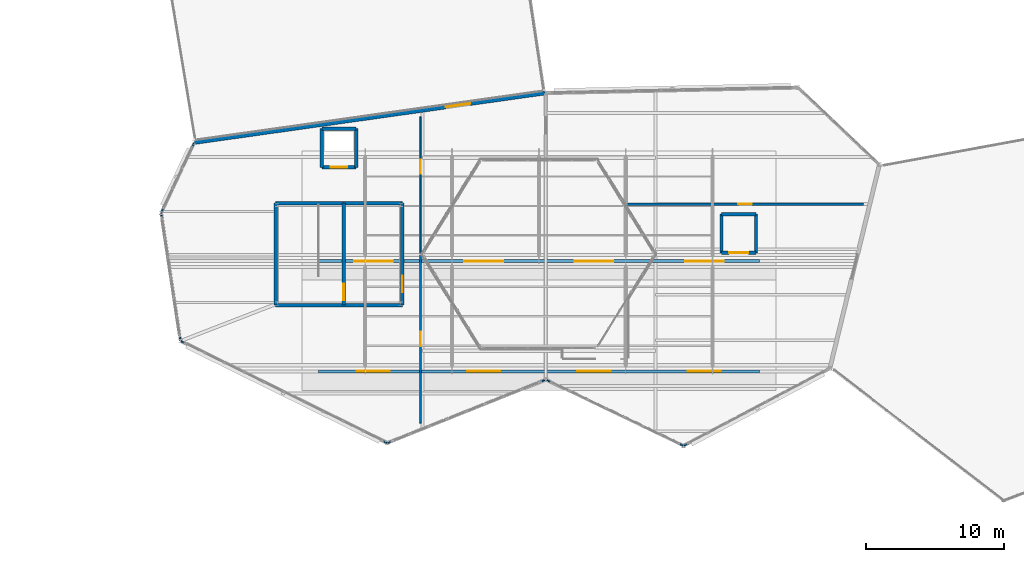
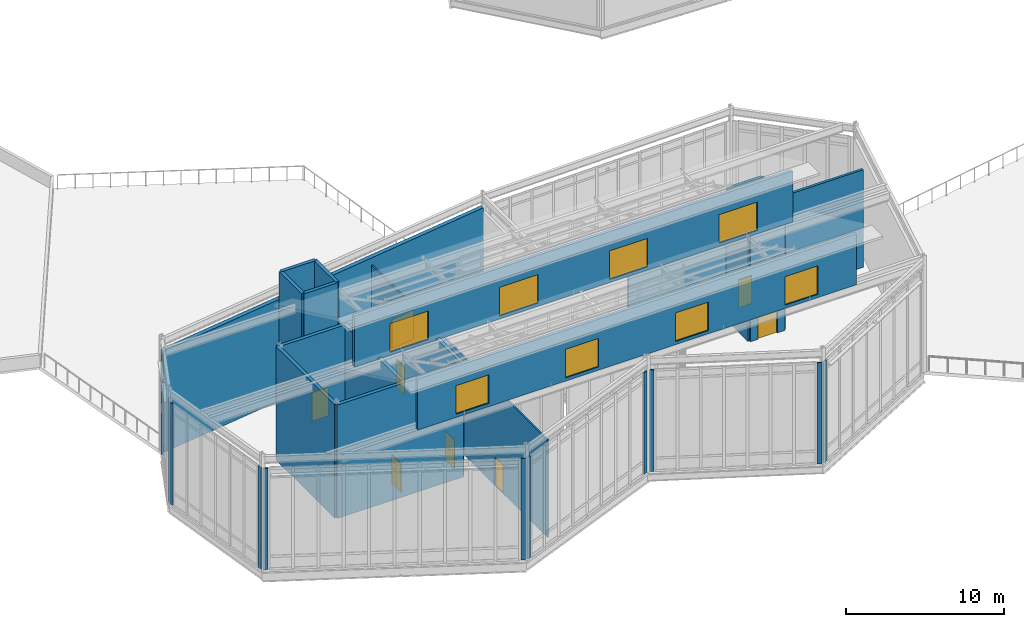
# One storey, part 54 of 66: 30 walls, 8 doors, 8 windows, 16 openings.
"""IFC4 building model written with IfcOpenShell, lengths in metres."""

from ifc_helpers import new_model, si_unit, direction, frame, frame_2d, origin, place, context, subcontext, project, spatial, rectangle, extrude, material, layer, layer_set, type_object, element, fill, save


model = new_model("IFC4")

# Units and contexts
model_context = context("Model", 3, precision=1e-05, world=origin(), true_north=direction((0.0, 1.0)))
body_context = subcontext(model_context, "Body", "Model", "MODEL_VIEW")
ifc_project = project(units=[si_unit("LENGTHUNIT", "METRE"), si_unit("AREAUNIT", "SQUARE_METRE"), si_unit("VOLUMEUNIT", "CUBIC_METRE"), si_unit("PLANEANGLEUNIT", "RADIAN"), si_unit("MASSUNIT", "GRAM", prefix="KILO")], contexts=[model_context])

# Site, building, storey
site_placement = place(None, origin())
site = spatial("IfcSite", under=ifc_project, at=site_placement, CompositionType="ELEMENT")
building_placement = place(site_placement, origin())
building = spatial("IfcBuilding", under=site, at=building_placement, Name="Tameran Prism Museum", CompositionType="ELEMENT")
storey_placement = place(building_placement, frame((0.0, 0.0, 19.800048828125)))
storey = spatial("IfcBuildingStorey", under=building, at=storey_placement, Name="L04", CompositionType="ELEMENT", Elevation=19.800048828125)

# Walls
ifc_material_1 = material(Name="Precast Concrete N40 (40 MPa)", Category="concrete")
ifc_layer_1 = layer(ifc_material_1, 0.094970703125)
ifc_layer_set_1 = layer_set([ifc_layer_1])
wall_type_1 = type_object("IfcWallType", Name="EW-CLOS-095", PredefinedType="SOLIDWALL", material=ifc_layer_set_1)
for number, where, z_axis, x_axis, name in (
    (1, (50.993896484375, 30.241943359375, 0.0), (0.0, 0.0, 1.0), (-0.14931129712, 0.988790238904, 0.0), "Facade Corner Closure EW-0436"),
    (2, (49.652099609375, 39.154052734375, 0.0), (0.0, 0.0, 1.0), (-0.15008766182, 0.988672692942, 0.0), "Facade Corner Closure EW-0437"),
):
    element("IfcWall", number, at=place(storey_placement, frame(where, z_axis=z_axis, x_axis=x_axis)), inside=storey, type_object=wall_type_1, Name=name, PredefinedType="SOLIDWALL", context=body_context, shape_type="SweptSolid", body=[
        extrude(rectangle(XDim=0.307373046875, YDim=0.094970703125, at=frame_2d((0.15380859375, 0.0))), origin(), (0.0, 0.0, 1.0), 7.820068359375),
    ])
for number, where, z_axis, x_axis, name in (
    (3, (65.9619140625, 22.819091796875, 0.0), (0.0, 0.0, 1.0), (-0.896952807524, 0.44212629539, 0.0), "Facade Corner Closure EW-0438"),
    (4, (51.31396484375, 30.044921875, 0.0), (0.0, 0.0, 1.0), (-0.896952807524, 0.44212629539, 0.0), "Facade Corner Closure EW-0439"),
):
    element("IfcWall", number, at=place(storey_placement, frame(where, z_axis=z_axis, x_axis=x_axis)), inside=storey, type_object=wall_type_1, Name=name, PredefinedType="SOLIDWALL", context=body_context, shape_type="SweptSolid", body=[
        extrude(rectangle(XDim=0.3076171875, YDim=0.094970703125, at=frame_2d((0.15380859375, 0.0))), origin(), (0.0, 0.0, 1.0), 7.820068359375),
    ])
wall_1_placement = place(storey_placement, frame((77.405029296875, 27.362060546875, 0.0), z_axis=(0.0, 0.0, 1.0), x_axis=(-0.928967856381, -0.370160400111, 0.0)))
element("IfcWall", 5, at=wall_1_placement, inside=storey, type_object=wall_type_1, Name="Facade Corner Closure EW-0440", PredefinedType="SOLIDWALL", context=body_context, shape_type="SweptSolid", body=[
    extrude(rectangle(XDim=0.30810546875, YDim=0.094970703125, at=frame_2d((0.154052734375, 0.0))), origin(), (0.0, 0.0, 1.0), 7.820068359375),
])
wall_2_placement = place(storey_placement, frame((66.324951171875, 22.929931640625, 0.0), z_axis=(0.0, 0.0, 1.0), x_axis=(-0.928859130521, -0.370433145989, 0.0)))
element("IfcWall", 6, at=wall_2_placement, inside=storey, type_object=wall_type_1, Name="Facade Corner Closure EW-0441", PredefinedType="SOLIDWALL", context=body_context, shape_type="SweptSolid", body=[
    extrude(rectangle(XDim=0.307861328125, YDim=0.094970703125, at=frame_2d((0.15380859375, 0.0))), origin(), (0.0, 0.0, 1.0), 7.820068359375),
])
for number, where, z_axis, x_axis, name in (
    (7, (49.617919921875, 39.5380859375, 0.0), (0.0, 0.0, 1.0), (0.425529884469, 0.904944372558, 0.0), "Facade Corner Closure EW-0443"),
    (8, (51.85107421875, 44.282958984375, 0.0), (0.0, 0.0, 1.0), (0.42457593243, 0.905392333522, 0.0), "Facade Corner Closure EW-0444"),
    (9, (87.4619140625, 22.617919921875, 0.0), (0.0, 0.0, 1.0), (-0.901906089125, 0.431932178008, 0.0), "Facade Corner Closure EW-0445"),
):
    element("IfcWall", number, at=place(storey_placement, frame(where, z_axis=z_axis, x_axis=x_axis)), inside=storey, type_object=wall_type_1, Name=name, PredefinedType="SOLIDWALL", context=body_context, shape_type="SweptSolid", body=[
        extrude(rectangle(XDim=0.30810546875, YDim=0.094970703125, at=frame_2d((0.154052734375, 0.0))), origin(), (0.0, 0.0, 1.0), 7.820068359375),
    ])
wall_3_placement = place(storey_placement, frame((77.8701171875, 27.222900390625, 0.0), z_axis=(0.0, 0.0, 1.0), x_axis=(-0.902053790555, 0.431623631126, 0.0)))
element("IfcWall", 10, at=wall_3_placement, inside=storey, type_object=wall_type_1, Name="Facade Corner Closure EW-0446", PredefinedType="SOLIDWALL", context=body_context, shape_type="SweptSolid", body=[
    extrude(rectangle(XDim=0.308349609375, YDim=0.094970703125, at=frame_2d((0.154296875, 0.0))), origin(), (0.0, 0.0, 1.0), 7.820068359375),
])
wall_4_placement = place(storey_placement, frame((87.80908203125, 22.762939453125, 0.0), z_axis=(0.0, 0.0, 1.0), x_axis=(-0.885348834604, -0.464927350308, 0.0)))
element("IfcWall", 11, at=wall_4_placement, inside=storey, type_object=wall_type_1, Name="Facade Corner Closure EW-0448", PredefinedType="SOLIDWALL", context=body_context, shape_type="SweptSolid", body=[
    extrude(rectangle(XDim=0.30712890625, YDim=0.094970703125, at=frame_2d((0.153564453125, 0.0))), origin(), (0.0, 0.0, 1.0), 7.820068359375),
])

# Wall, opening, door
ifc_material_2 = material(Name="Precast Concrete N40 (40 MPa)", Category="concrete")
ifc_layer_2 = layer(ifc_material_2, 0.2900390625)
ifc_layer_set_2 = layer_set([ifc_layer_2])
wall_type_2 = type_object("IfcWallType", Name="EW-FOY-290", PredefinedType="SOLIDWALL", material=ifc_layer_set_2)
wall_5_placement = place(storey_placement, frame((52.0, 44.60009765625, 0.0), z_axis=(0.0, 0.0, 1.0), x_axis=(0.990179648472, 0.139800800256, 0.0)))
wall_5 = element("IfcWall", 12, at=wall_5_placement, inside=storey, type_object=wall_type_2, Name="Exterior Fluted Precast Wall EW-0442", PredefinedType="SOLIDWALL", context=body_context, shape_type="SweptSolid", body=[
    extrude(rectangle(XDim=25.692138671875, YDim=0.2900390625, at=frame_2d((12.84619140625, 0.0))), origin(), (0.0, 0.0, 1.0), 7.820068359375),
])
opening_1_placement = place(wall_5_placement, frame((18.4150390625, 0.0, 0.0)))
opening_1 = element("IfcOpeningElement", 13, at=opening_1_placement, cuts=wall_5, Name="Opening TD-23", PredefinedType="OPENING", context=body_context, shape_type="SweptSolid", body=[
    extrude(rectangle(XDim=1.800048828125, YDim=2.25, at=frame_2d((0.89990234375, 1.125))), frame((0.0, 0.155029296875, 0.0), z_axis=(0.0, -1.0, 0.0), x_axis=(1.0, 0.0, 0.0)), (0.0, 0.0, 1.0), 0.31005859375),
])
ifc_material_3 = material(Name="Cyclone-Rated Anodised Aluminium 6063-T6 and Laminated Glass", Category="aluminium")
door_type_1 = type_object("IfcDoorType", Name="DR-TER-180", OperationType="DOUBLE_DOOR_SINGLE_SWING", PredefinedType="DOOR", material=ifc_material_3)
door_1_placement = place(opening_1_placement, origin())
door_1 = element("IfcDoor", 14, at=door_1_placement, inside=storey, type_object=door_type_1, Name="Terrace Access Door TD-23", OperationType="DOUBLE_DOOR_SINGLE_SWING", OverallHeight=2.25, OverallWidth=1.800048828125, PredefinedType="DOOR", context=body_context, shape_type="SweptSolid", body=[
    extrude(rectangle(XDim=1.800048828125, YDim=2.25, at=frame_2d((0.89990234375, 1.125))), frame((0.0, 0.02490234375, 0.0), z_axis=(0.0, -1.0, 0.0), x_axis=(1.0, 0.0, 0.0)), (0.0, 0.0, 1.0), 0.050048828125),
])
fill(opening_1, door_1)

# Wall, openings, windows
ifc_material_4 = material(Name="Insulated Aluminium Cladding Panel", Category="aluminium")
ifc_layer_3 = layer(ifc_material_4, 0.235107421875)
ifc_layer_set_3 = layer_set([ifc_layer_3])
wall_type_3 = type_object("IfcWallType", Name="EW-SAW-235", PredefinedType="SOLIDWALL", material=ifc_layer_set_3)
wall_6_placement = place(storey_placement, frame((93.0, 28.0, 8.64990234375), z_axis=(0.0, 0.0, 1.0), x_axis=(-1.0, 0.0, 0.0)))
wall_6 = element("IfcWall", 15, at=wall_6_placement, inside=storey, type_object=wall_type_3, Name="Sawtooth Monitor Wall SMW-06", PredefinedType="SOLIDWALL", context=body_context, shape_type="SweptSolid", body=[
    extrude(rectangle(XDim=32.0, YDim=0.235107421875, at=frame_2d((16.0, 0.0))), origin(), (0.0, 0.0, 1.0), 3.929931640625),
])
opening_2_placement = place(wall_6_placement, frame((2.800048828125, 0.0, 0.25)))
opening_2 = element("IfcOpeningElement", 16, at=opening_2_placement, cuts=wall_6, Name="Opening RL-21", PredefinedType="OPENING", context=body_context, shape_type="SweptSolid", body=[
    extrude(rectangle(XDim=2.39990234375, YDim=2.199951171875, at=frame_2d((1.199951171875, 1.10009765625))), frame((0.0, 0.12744140625, 0.0), z_axis=(0.0, -1.0, 0.0), x_axis=(1.0, 0.0, 0.0)), (0.0, 0.0, 1.0), 0.255126953125),
])
opening_3_placement = place(wall_6_placement, frame((10.800048828125, 0.0, 0.25)))
opening_3 = element("IfcOpeningElement", 17, at=opening_3_placement, cuts=wall_6, Name="Opening RL-22", PredefinedType="OPENING", context=body_context, shape_type="SweptSolid", body=[
    extrude(rectangle(XDim=2.39990234375, YDim=2.199951171875, at=frame_2d((1.199951171875, 1.10009765625))), frame((0.0, 0.12744140625, 0.0), z_axis=(0.0, -1.0, 0.0), x_axis=(1.0, 0.0, 0.0)), (0.0, 0.0, 1.0), 0.255126953125),
])
opening_4_placement = place(wall_6_placement, frame((18.800048828125, 0.0, 0.25)))
opening_4 = element("IfcOpeningElement", 18, at=opening_4_placement, cuts=wall_6, Name="Opening RL-23", PredefinedType="OPENING", context=body_context, shape_type="SweptSolid", body=[
    extrude(rectangle(XDim=2.39990234375, YDim=2.199951171875, at=frame_2d((1.199951171875, 1.10009765625))), frame((0.0, 0.12744140625, 0.0), z_axis=(0.0, -1.0, 0.0), x_axis=(1.0, 0.0, 0.0)), (0.0, 0.0, 1.0), 0.255126953125),
])
opening_5_placement = place(wall_6_placement, frame((26.800048828125, 0.0, 0.25)))
opening_5 = element("IfcOpeningElement", 19, at=opening_5_placement, cuts=wall_6, Name="Opening RL-24", PredefinedType="OPENING", context=body_context, shape_type="SweptSolid", body=[
    extrude(rectangle(XDim=2.39990234375, YDim=2.199951171875, at=frame_2d((1.199951171875, 1.10009765625))), frame((0.0, 0.12744140625, 0.0), z_axis=(0.0, -1.0, 0.0), x_axis=(1.0, 0.0, 0.0)), (0.0, 0.0, 1.0), 0.255126953125),
])
ifc_material_5 = material(Name="Cyclone Laminated Low-E Glass in 6063-T6 Frame", Category="glass")
window_type_1 = type_object("IfcWindowType", Name="WIN-RL01", PartitioningType="SINGLE_PANEL", PredefinedType="SKYLIGHT", material=ifc_material_5)
window_1_placement = place(opening_2_placement, origin())
window_1 = element("IfcWindow", 20, at=window_1_placement, inside=storey, type_object=window_type_1, Name="Rooflight RL-21", OverallHeight=2.199951171875, OverallWidth=2.39990234375, PartitioningType="SINGLE_PANEL", PredefinedType="SKYLIGHT", context=body_context, shape_type="SweptSolid", body=[
    extrude(rectangle(XDim=2.39990234375, YDim=2.199951171875, at=frame_2d((1.199951171875, 1.10009765625))), frame((0.0, 0.030029296875, 0.0), z_axis=(0.0, -1.0, 0.0), x_axis=(1.0, 0.0, 0.0)), (0.0, 0.0, 1.0), 0.06005859375),
])
fill(opening_2, window_1)
window_2_placement = place(opening_3_placement, origin())
window_2 = element("IfcWindow", 21, at=window_2_placement, inside=storey, type_object=window_type_1, Name="Rooflight RL-22", OverallHeight=2.199951171875, OverallWidth=2.39990234375, PartitioningType="SINGLE_PANEL", PredefinedType="SKYLIGHT", context=body_context, shape_type="SweptSolid", body=[
    extrude(rectangle(XDim=2.39990234375, YDim=2.199951171875, at=frame_2d((1.199951171875, 1.10009765625))), frame((0.0, 0.030029296875, 0.0), z_axis=(0.0, -1.0, 0.0), x_axis=(1.0, 0.0, 0.0)), (0.0, 0.0, 1.0), 0.06005859375),
])
fill(opening_3, window_2)
window_3_placement = place(opening_4_placement, origin())
window_3 = element("IfcWindow", 22, at=window_3_placement, inside=storey, type_object=window_type_1, Name="Rooflight RL-23", OverallHeight=2.199951171875, OverallWidth=2.39990234375, PartitioningType="SINGLE_PANEL", PredefinedType="SKYLIGHT", context=body_context, shape_type="SweptSolid", body=[
    extrude(rectangle(XDim=2.39990234375, YDim=2.199951171875, at=frame_2d((1.199951171875, 1.10009765625))), frame((0.0, 0.030029296875, 0.0), z_axis=(0.0, -1.0, 0.0), x_axis=(1.0, 0.0, 0.0)), (0.0, 0.0, 1.0), 0.06005859375),
])
fill(opening_4, window_3)
window_4_placement = place(opening_5_placement, origin())
window_4 = element("IfcWindow", 23, at=window_4_placement, inside=storey, type_object=window_type_1, Name="Rooflight RL-24", OverallHeight=2.199951171875, OverallWidth=2.39990234375, PartitioningType="SINGLE_PANEL", PredefinedType="SKYLIGHT", context=body_context, shape_type="SweptSolid", body=[
    extrude(rectangle(XDim=2.39990234375, YDim=2.199951171875, at=frame_2d((1.199951171875, 1.10009765625))), frame((0.0, 0.030029296875, 0.0), z_axis=(0.0, -1.0, 0.0), x_axis=(1.0, 0.0, 0.0)), (0.0, 0.0, 1.0), 0.06005859375),
])
fill(opening_5, window_4)

wall_7_placement = place(storey_placement, frame((93.0, 36.0, 8.64990234375), z_axis=(0.0, 0.0, 1.0), x_axis=(-1.0, 0.0, 0.0)))
wall_7 = element("IfcWall", 24, at=wall_7_placement, inside=storey, type_object=wall_type_3, Name="Sawtooth Monitor Wall SMW-07", PredefinedType="SOLIDWALL", context=body_context, shape_type="SweptSolid", body=[
    extrude(rectangle(XDim=32.0, YDim=0.235107421875, at=frame_2d((16.0, 0.0))), origin(), (0.0, 0.0, 1.0), 3.929931640625),
])
opening_6_placement = place(wall_7_placement, frame((2.60009765625, 0.0, 0.25)))
opening_6 = element("IfcOpeningElement", 25, at=opening_6_placement, cuts=wall_7, Name="Opening RL-25", PredefinedType="OPENING", context=body_context, shape_type="SweptSolid", body=[
    extrude(rectangle(XDim=2.800048828125, YDim=2.199951171875, at=frame_2d((1.39990234375, 1.10009765625))), frame((0.0, 0.12744140625, 0.0), z_axis=(0.0, -1.0, 0.0), x_axis=(1.0, 0.0, 0.0)), (0.0, 0.0, 1.0), 0.255126953125),
])
opening_7_placement = place(wall_7_placement, frame((10.60009765625, 0.0, 0.25)))
opening_7 = element("IfcOpeningElement", 26, at=opening_7_placement, cuts=wall_7, Name="Opening RL-26", PredefinedType="OPENING", context=body_context, shape_type="SweptSolid", body=[
    extrude(rectangle(XDim=2.800048828125, YDim=2.199951171875, at=frame_2d((1.39990234375, 1.10009765625))), frame((0.0, 0.12744140625, 0.0), z_axis=(0.0, -1.0, 0.0), x_axis=(1.0, 0.0, 0.0)), (0.0, 0.0, 1.0), 0.255126953125),
])
opening_8_placement = place(wall_7_placement, frame((18.60009765625, 0.0, 0.25)))
opening_8 = element("IfcOpeningElement", 27, at=opening_8_placement, cuts=wall_7, Name="Opening RL-27", PredefinedType="OPENING", context=body_context, shape_type="SweptSolid", body=[
    extrude(rectangle(XDim=2.800048828125, YDim=2.199951171875, at=frame_2d((1.39990234375, 1.10009765625))), frame((0.0, 0.12744140625, 0.0), z_axis=(0.0, -1.0, 0.0), x_axis=(1.0, 0.0, 0.0)), (0.0, 0.0, 1.0), 0.255126953125),
])
opening_9_placement = place(wall_7_placement, frame((26.60009765625, 0.0, 0.25)))
opening_9 = element("IfcOpeningElement", 28, at=opening_9_placement, cuts=wall_7, Name="Opening RL-28", PredefinedType="OPENING", context=body_context, shape_type="SweptSolid", body=[
    extrude(rectangle(XDim=2.800048828125, YDim=2.199951171875, at=frame_2d((1.39990234375, 1.10009765625))), frame((0.0, 0.12744140625, 0.0), z_axis=(0.0, -1.0, 0.0), x_axis=(1.0, 0.0, 0.0)), (0.0, 0.0, 1.0), 0.255126953125),
])
ifc_material_6 = material(Name="Cyclone Laminated Low-E Glass in 6063-T6 Frame", Category="glass")
window_type_2 = type_object("IfcWindowType", Name="WIN-RL02", PartitioningType="SINGLE_PANEL", PredefinedType="SKYLIGHT", material=ifc_material_6)
window_5_placement = place(opening_6_placement, origin())
window_5 = element("IfcWindow", 29, at=window_5_placement, inside=storey, type_object=window_type_2, Name="Rooflight RL-25", OverallHeight=2.199951171875, OverallWidth=2.800048828125, PartitioningType="SINGLE_PANEL", PredefinedType="SKYLIGHT", context=body_context, shape_type="SweptSolid", body=[
    extrude(rectangle(XDim=2.800048828125, YDim=2.199951171875, at=frame_2d((1.39990234375, 1.10009765625))), frame((0.0, 0.030029296875, 0.0), z_axis=(0.0, -1.0, 0.0), x_axis=(1.0, 0.0, 0.0)), (0.0, 0.0, 1.0), 0.06005859375),
])
fill(opening_6, window_5)
window_6_placement = place(opening_7_placement, origin())
window_6 = element("IfcWindow", 30, at=window_6_placement, inside=storey, type_object=window_type_2, Name="Rooflight RL-26", OverallHeight=2.199951171875, OverallWidth=2.800048828125, PartitioningType="SINGLE_PANEL", PredefinedType="SKYLIGHT", context=body_context, shape_type="SweptSolid", body=[
    extrude(rectangle(XDim=2.800048828125, YDim=2.199951171875, at=frame_2d((1.39990234375, 1.10009765625))), frame((0.0, 0.030029296875, 0.0), z_axis=(0.0, -1.0, 0.0), x_axis=(1.0, 0.0, 0.0)), (0.0, 0.0, 1.0), 0.06005859375),
])
fill(opening_7, window_6)
window_7_placement = place(opening_8_placement, origin())
window_7 = element("IfcWindow", 31, at=window_7_placement, inside=storey, type_object=window_type_2, Name="Rooflight RL-27", OverallHeight=2.199951171875, OverallWidth=2.800048828125, PartitioningType="SINGLE_PANEL", PredefinedType="SKYLIGHT", context=body_context, shape_type="SweptSolid", body=[
    extrude(rectangle(XDim=2.800048828125, YDim=2.199951171875, at=frame_2d((1.39990234375, 1.10009765625))), frame((0.0, 0.030029296875, 0.0), z_axis=(0.0, -1.0, 0.0), x_axis=(1.0, 0.0, 0.0)), (0.0, 0.0, 1.0), 0.06005859375),
])
fill(opening_8, window_7)
window_8_placement = place(opening_9_placement, origin())
window_8 = element("IfcWindow", 32, at=window_8_placement, inside=storey, type_object=window_type_2, Name="Rooflight RL-28", OverallHeight=2.199951171875, OverallWidth=2.800048828125, PartitioningType="SINGLE_PANEL", PredefinedType="SKYLIGHT", context=body_context, shape_type="SweptSolid", body=[
    extrude(rectangle(XDim=2.800048828125, YDim=2.199951171875, at=frame_2d((1.39990234375, 1.10009765625))), frame((0.0, 0.030029296875, 0.0), z_axis=(0.0, -1.0, 0.0), x_axis=(1.0, 0.0, 0.0)), (0.0, 0.0, 1.0), 0.06005859375),
])
fill(opening_9, window_8)

# Walls
ifc_material_7 = material(Name="Concrete N40 (40 MPa)", Category="concrete")
ifc_layer_4 = layer(ifc_material_7, 0.25)
ifc_layer_set_4 = layer_set([ifc_layer_4])
wall_type_4 = type_object("IfcWallType", Name="IW-COR-250", PredefinedType="SHEAR", material=ifc_layer_set_4)
wall_8_placement = place(storey_placement, frame((57.89990234375, 32.800048828125, 0.0), z_axis=(0.0, 0.0, 1.0), x_axis=(0.0, 1.0, 0.0)))
element("IfcWall", 33, at=wall_8_placement, inside=storey, type_object=wall_type_4, Name="Core Shear Wall CW-3-L04-W", PredefinedType="SHEAR", context=body_context, shape_type="SweptSolid", body=[
    extrude(rectangle(XDim=7.39990234375, YDim=0.25, at=frame_2d((3.699951171875, 0.0))), origin(), (0.0, 0.0, 1.0), 8.760009765625),
])
for number, where, z_axis, x_axis, name in (
    (34, (57.89990234375, 40.199951171875, 0.0), (0.0, 0.0, 1.0), (1.0, 0.0, 0.0), "Core Shear Wall CW-3-L04-N"),
    (35, (67.10009765625, 32.800048828125, 0.0), (0.0, 0.0, 1.0), (-1.0, 0.0, 0.0), "Core Shear Wall CW-3-L04-S"),
):
    element("IfcWall", number, at=place(storey_placement, frame(where, z_axis=z_axis, x_axis=x_axis)), inside=storey, type_object=wall_type_4, Name=name, PredefinedType="SHEAR", context=body_context, shape_type="SweptSolid", body=[
        extrude(rectangle(XDim=9.2001953125, YDim=0.25, at=frame_2d((4.60009765625, 0.0))), origin(), (0.0, 0.0, 1.0), 8.760009765625),
    ])

# Wall, opening, door
wall_9_placement = place(storey_placement, frame((67.10009765625, 40.199951171875, 0.0), z_axis=(0.0, 0.0, 1.0), x_axis=(0.0, -1.0, 0.0)))
wall_9 = element("IfcWall", 36, at=wall_9_placement, inside=storey, type_object=wall_type_4, Name="Core Shear Wall CW-3-L04-E", PredefinedType="SHEAR", context=body_context, shape_type="SweptSolid", body=[
    extrude(rectangle(XDim=7.39990234375, YDim=0.25, at=frame_2d((3.699951171875, 0.0))), origin(), (0.0, 0.0, 1.0), 8.760009765625),
])
opening_10_placement = place(wall_9_placement, frame((5.25, 0.0, 0.0)))
opening_10 = element("IfcOpeningElement", 37, at=opening_10_placement, cuts=wall_9, Name="Opening FD-0221", PredefinedType="OPENING", context=body_context, shape_type="SweptSolid", body=[
    extrude(rectangle(XDim=1.199951171875, YDim=2.199951171875, at=frame_2d((0.60009765625, 1.10009765625))), frame((0.0, 0.135009765625, 0.0), z_axis=(0.0, -1.0, 0.0), x_axis=(1.0, 0.0, 0.0)), (0.0, 0.0, 1.0), 0.27001953125),
])
ifc_material_8 = material(Name="Fire-Rated Steel Door Leaf and Frame", Category="steel")
door_type_2 = type_object("IfcDoorType", Name="DR-FD-120A", OperationType="NOTDEFINED", PredefinedType="DOOR", material=ifc_material_8)
door_2_placement = place(opening_10_placement, origin())
door_2 = element("IfcDoor", 38, at=door_2_placement, inside=storey, type_object=door_type_2, Name="Core Fire Door FD-0221", OperationType="SINGLE_SWING_LEFT", OverallHeight=2.199951171875, OverallWidth=1.199951171875, PredefinedType="DOOR", context=body_context, shape_type="SweptSolid", body=[
    extrude(rectangle(XDim=1.199951171875, YDim=2.199951171875, at=frame_2d((0.60009765625, 1.10009765625))), frame((0.0, 0.02490234375, 0.0), z_axis=(0.0, -1.0, 0.0), x_axis=(1.0, 0.0, 0.0)), (0.0, 0.0, 1.0), 0.050048828125),
])
fill(opening_10, door_2)

wall_10_placement = place(storey_placement, frame((62.85009765625, 40.199951171875, 0.0), z_axis=(0.0, 0.0, 1.0), x_axis=(0.0, -1.0, 0.0)))
wall_10 = element("IfcWall", 39, at=wall_10_placement, inside=storey, type_object=wall_type_4, Name="Core Shear Wall CW-3-L04-M", PredefinedType="SHEAR", context=body_context, shape_type="SweptSolid", body=[
    extrude(rectangle(XDim=7.39990234375, YDim=0.25, at=frame_2d((3.699951171875, 0.0))), origin(), (0.0, 0.0, 1.0), 8.760009765625),
])
opening_11_placement = place(wall_10_placement, frame((5.85009765625, 0.0, 0.0)))
opening_11 = element("IfcOpeningElement", 40, at=opening_11_placement, cuts=wall_10, Name="Opening FD-0222", PredefinedType="OPENING", context=body_context, shape_type="SweptSolid", body=[
    extrude(rectangle(XDim=1.199951171875, YDim=2.199951171875, at=frame_2d((0.60009765625, 1.10009765625))), frame((0.0, 0.135009765625, 0.0), z_axis=(0.0, -1.0, 0.0), x_axis=(1.0, 0.0, 0.0)), (0.0, 0.0, 1.0), 0.27001953125),
])
door_3_placement = place(opening_11_placement, origin())
door_3 = element("IfcDoor", 41, at=door_3_placement, inside=storey, type_object=door_type_2, Name="Core Fire Door FD-0222", OperationType="SINGLE_SWING_RIGHT", OverallHeight=2.199951171875, OverallWidth=1.199951171875, PredefinedType="DOOR", context=body_context, shape_type="SweptSolid", body=[
    extrude(rectangle(XDim=1.199951171875, YDim=2.199951171875, at=frame_2d((0.60009765625, 1.10009765625))), frame((0.0, 0.02490234375, 0.0), z_axis=(0.0, -1.0, 0.0), x_axis=(1.0, 0.0, 0.0)), (0.0, 0.0, 1.0), 0.050048828125),
])
fill(opening_11, door_3)

# Walls
ifc_material_9 = material(Name="Concrete N40 (40 MPa)", Category="concrete")
ifc_layer_5 = layer(ifc_material_9, 0.239990234375)
ifc_layer_set_5 = layer_set([ifc_layer_5])
wall_type_5 = type_object("IfcWallType", Name="IW-LFT-240", PredefinedType="SHEAR", material=ifc_layer_set_5)
wall_11_placement = place(storey_placement, frame((61.25, 45.60009765625, 0.0), z_axis=(0.0, 0.0, 1.0), x_axis=(1.0, 0.0, 0.0)))
element("IfcWall", 42, at=wall_11_placement, inside=storey, type_object=wall_type_5, Name="Lift Shaft Wall LW-PL01-L04N", PredefinedType="SHEAR", context=body_context, shape_type="SweptSolid", body=[
    extrude(rectangle(XDim=2.5, YDim=0.239990234375, at=frame_2d((1.25, 0.0))), origin(), (0.0, 0.0, 1.0), 10.099853515625),
])
for number, where, z_axis, x_axis, name in (
    (43, (63.75, 45.60009765625, 0.0), (0.0, 0.0, 1.0), (0.0, -1.0, 0.0), "Lift Shaft Wall LW-PL01-L04E"),
    (44, (61.25, 42.800048828125, 0.0), (0.0, 0.0, 1.0), (0.0, 1.0, 0.0), "Lift Shaft Wall LW-PL01-L04W"),
):
    element("IfcWall", number, at=place(storey_placement, frame(where, z_axis=z_axis, x_axis=x_axis)), inside=storey, type_object=wall_type_5, Name=name, PredefinedType="SHEAR", context=body_context, shape_type="SweptSolid", body=[
        extrude(rectangle(XDim=2.800048828125, YDim=0.239990234375, at=frame_2d((1.39990234375, 0.0))), origin(), (0.0, 0.0, 1.0), 10.099853515625),
    ])

# Wall, opening, door
wall_12_placement = place(storey_placement, frame((63.75, 42.800048828125, 0.0), z_axis=(0.0, 0.0, 1.0), x_axis=(-1.0, 0.0, 0.0)))
wall_12 = element("IfcWall", 45, at=wall_12_placement, inside=storey, type_object=wall_type_5, Name="Lift Shaft Wall LW-PL01-L04S", PredefinedType="SHEAR", context=body_context, shape_type="SweptSolid", body=[
    extrude(rectangle(XDim=2.5, YDim=0.239990234375, at=frame_2d((1.25, 0.0))), origin(), (0.0, 0.0, 1.0), 10.099853515625),
])
opening_12_placement = place(wall_12_placement, frame((0.64990234375, 0.0, 0.0)))
opening_12 = element("IfcOpeningElement", 46, at=opening_12_placement, cuts=wall_12, Name="Opening LD-PL01-L04", PredefinedType="OPENING", context=body_context, shape_type="SweptSolid", body=[
    extrude(rectangle(XDim=1.199951171875, YDim=2.199951171875, at=frame_2d((0.60009765625, 1.10009765625))), frame((0.0, 0.1298828125, 0.0), z_axis=(0.0, -1.0, 0.0), x_axis=(1.0, 0.0, 0.0)), (0.0, 0.0, 1.0), 0.260009765625),
])
ifc_material_10 = material(Name="Fire-Rated Steel Door Leaf and Frame", Category="steel")
door_type_3 = type_object("IfcDoorType", Name="DR-LD-PL1", OperationType="SLIDING_TO_LEFT", PredefinedType="DOOR", material=ifc_material_10)
door_4_placement = place(opening_12_placement, origin())
door_4 = element("IfcDoor", 47, at=door_4_placement, inside=storey, type_object=door_type_3, Name="Passenger Lift PL-01 Landing Door L04", OperationType="SLIDING_TO_LEFT", OverallHeight=2.199951171875, OverallWidth=1.199951171875, PredefinedType="DOOR", context=body_context, shape_type="SweptSolid", body=[
    extrude(rectangle(XDim=1.199951171875, YDim=2.199951171875, at=frame_2d((0.60009765625, 1.10009765625))), frame((0.0, 0.02490234375, 0.0), z_axis=(0.0, -1.0, 0.0), x_axis=(1.0, 0.0, 0.0)), (0.0, 0.0, 1.0), 0.050048828125),
])
fill(opening_12, door_4)

# Walls
wall_13_placement = place(storey_placement, frame((90.25, 39.39990234375, 0.0), z_axis=(0.0, 0.0, 1.0), x_axis=(1.0, 0.0, 0.0)))
element("IfcWall", 48, at=wall_13_placement, inside=storey, type_object=wall_type_5, Name="Lift Shaft Wall LW-PL02-L04N", PredefinedType="SHEAR", context=body_context, shape_type="SweptSolid", body=[
    extrude(rectangle(XDim=2.5, YDim=0.239990234375, at=frame_2d((1.25, 0.0))), origin(), (0.0, 0.0, 1.0), 10.099853515625),
])
for number, where, z_axis, x_axis, name in (
    (49, (92.75, 39.39990234375, 0.0), (0.0, 0.0, 1.0), (0.0, -1.0, 0.0), "Lift Shaft Wall LW-PL02-L04E"),
    (50, (90.25, 36.60009765625, 0.0), (0.0, 0.0, 1.0), (0.0, 1.0, 0.0), "Lift Shaft Wall LW-PL02-L04W"),
):
    element("IfcWall", number, at=place(storey_placement, frame(where, z_axis=z_axis, x_axis=x_axis)), inside=storey, type_object=wall_type_5, Name=name, PredefinedType="SHEAR", context=body_context, shape_type="SweptSolid", body=[
        extrude(rectangle(XDim=2.7998046875, YDim=0.239990234375, at=frame_2d((1.39990234375, 0.0))), origin(), (0.0, 0.0, 1.0), 10.099853515625),
    ])

# Wall, opening, door
wall_14_placement = place(storey_placement, frame((92.75, 36.60009765625, 0.0), z_axis=(0.0, 0.0, 1.0), x_axis=(-1.0, 0.0, 0.0)))
wall_14 = element("IfcWall", 51, at=wall_14_placement, inside=storey, type_object=wall_type_5, Name="Lift Shaft Wall LW-PL02-L04S", PredefinedType="SHEAR", context=body_context, shape_type="SweptSolid", body=[
    extrude(rectangle(XDim=2.5, YDim=0.239990234375, at=frame_2d((1.25, 0.0))), origin(), (0.0, 0.0, 1.0), 10.099853515625),
])
opening_13_placement = place(wall_14_placement, frame((0.550048828125, 0.0, 0.0)))
opening_13 = element("IfcOpeningElement", 52, at=opening_13_placement, cuts=wall_14, Name="Opening LD-PL02-L04", PredefinedType="OPENING", context=body_context, shape_type="SweptSolid", body=[
    extrude(rectangle(XDim=1.39990234375, YDim=2.300048828125, at=frame_2d((0.699951171875, 1.14990234375))), frame((0.0, 0.1298828125, 0.0), z_axis=(0.0, -1.0, 0.0), x_axis=(1.0, 0.0, 0.0)), (0.0, 0.0, 1.0), 0.260009765625),
])
ifc_material_11 = material(Name="Fire-Rated Steel Door Leaf and Frame", Category="steel")
door_type_4 = type_object("IfcDoorType", Name="DR-LD-PL2", OperationType="SLIDING_TO_LEFT", PredefinedType="DOOR", material=ifc_material_11)
door_5_placement = place(opening_13_placement, origin())
door_5 = element("IfcDoor", 53, at=door_5_placement, inside=storey, type_object=door_type_4, Name="Passenger Lift PL-02 Landing Door L04", OperationType="SLIDING_TO_LEFT", OverallHeight=2.300048828125, OverallWidth=1.39990234375, PredefinedType="DOOR", context=body_context, shape_type="SweptSolid", body=[
    extrude(rectangle(XDim=1.39990234375, YDim=2.300048828125, at=frame_2d((0.699951171875, 1.14990234375))), frame((0.0, 0.02490234375, 0.0), z_axis=(0.0, -1.0, 0.0), x_axis=(1.0, 0.0, 0.0)), (0.0, 0.0, 1.0), 0.050048828125),
])
fill(opening_13, door_5)

ifc_material_12 = material(Name="Store Lightweight Stud Partition")
ifc_layer_6 = layer(ifc_material_12, 0.110107421875)
ifc_layer_set_6 = layer_set([ifc_layer_6])
wall_type_6 = type_object("IfcWallType", Name="IW-PRT-110", PredefinedType="PARTITIONING", material=ifc_layer_set_6)
wall_15_placement = place(storey_placement, frame((68.4150390625, 36.574951171875, 0.0), z_axis=(0.0, 0.0, 1.0), x_axis=(0.0, 1.0, 0.0)))
wall_15 = element("IfcWall", 54, at=wall_15_placement, inside=storey, type_object=wall_type_6, Name="Internal Partition PT-0159", PredefinedType="PARTITIONING", context=body_context, shape_type="SweptSolid", body=[
    extrude(rectangle(XDim=9.887939453125, YDim=0.110107421875, at=frame_2d((4.94384765625, 0.0))), origin(), (0.0, 0.0, 1.0), 7.52001953125),
])
opening_14_placement = place(wall_15_placement, frame((5.777099609375, 0.0, 0.0)))
opening_14 = element("IfcOpeningElement", 55, at=opening_14_placement, cuts=wall_15, Name="Opening ID-0158", PredefinedType="OPENING", context=body_context, shape_type="SweptSolid", body=[
    extrude(rectangle(XDim=1.0, YDim=2.14990234375, at=frame_2d((0.5, 1.074951171875))), frame((0.0, 0.06494140625, 0.0), z_axis=(0.0, -1.0, 0.0), x_axis=(1.0, 0.0, 0.0)), (0.0, 0.0, 1.0), 0.130126953125),
])
ifc_material_13 = material(Name="Acoustic Solid-Core Timber Door", Category="wood")
door_type_5 = type_object("IfcDoorType", Name="DR-INT-100", OperationType="NOTDEFINED", PredefinedType="DOOR", material=ifc_material_13)
door_6_placement = place(opening_14_placement, origin())
door_6 = element("IfcDoor", 56, at=door_6_placement, inside=storey, type_object=door_type_5, Name="Interior Room Door ID-0158", OperationType="SINGLE_SWING_LEFT", OverallHeight=2.14990234375, OverallWidth=1.0, PredefinedType="DOOR", context=body_context, shape_type="SweptSolid", body=[
    extrude(rectangle(XDim=1.0, YDim=2.14990234375, at=frame_2d((0.5, 1.074951171875))), frame((0.0, 0.02490234375, 0.0), z_axis=(0.0, -1.0, 0.0), x_axis=(1.0, 0.0, 0.0)), (0.0, 0.0, 1.0), 0.050048828125),
])
fill(opening_14, door_6)

ifc_material_14 = material(Name="Office Insulated Stud Partition")
ifc_layer_7 = layer(ifc_material_14, 0.1201171875)
ifc_layer_set_7 = layer_set([ifc_layer_7])
wall_type_7 = type_object("IfcWallType", Name="IW-PRT-120", PredefinedType="PARTITIONING", material=ifc_layer_set_7)
wall_16_placement = place(storey_placement, frame((68.4150390625, 24.2509765625, 0.0), z_axis=(0.0, 0.0, 1.0), x_axis=(0.0, 1.0, 0.0)))
wall_16 = element("IfcWall", 57, at=wall_16_placement, inside=storey, type_object=wall_type_7, Name="Internal Partition PT-0158", PredefinedType="PARTITIONING", context=body_context, shape_type="SweptSolid", body=[
    extrude(rectangle(XDim=12.174072265625, YDim=0.1201171875, at=frame_2d((6.0869140625, 0.0))), origin(), (0.0, 0.0, 1.0), 7.52001953125),
])
opening_15_placement = place(wall_16_placement, frame((5.56201171875, 0.0, 0.0)))
opening_15 = element("IfcOpeningElement", 58, at=opening_15_placement, cuts=wall_16, Name="Opening ID-0157", PredefinedType="OPENING", context=body_context, shape_type="SweptSolid", body=[
    extrude(rectangle(XDim=1.050048828125, YDim=2.199951171875, at=frame_2d((0.52490234375, 1.10009765625))), frame((0.0, 0.070068359375, 0.0), z_axis=(0.0, -1.0, 0.0), x_axis=(1.0, 0.0, 0.0)), (0.0, 0.0, 1.0), 0.14013671875),
])
ifc_material_15 = material(Name="Fire-Rated Steel Door Leaf and Frame", Category="steel")
door_type_6 = type_object("IfcDoorType", Name="DR-INT-105", OperationType="NOTDEFINED", PredefinedType="DOOR", material=ifc_material_15)
door_7_placement = place(opening_15_placement, origin())
door_7 = element("IfcDoor", 59, at=door_7_placement, inside=storey, type_object=door_type_6, Name="Interior Room Door ID-0157", OperationType="SINGLE_SWING_RIGHT", OverallHeight=2.199951171875, OverallWidth=1.050048828125, PredefinedType="DOOR", context=body_context, shape_type="SweptSolid", body=[
    extrude(rectangle(XDim=1.050048828125, YDim=2.199951171875, at=frame_2d((0.52490234375, 1.10009765625))), frame((0.0, 0.02490234375, 0.0), z_axis=(0.0, -1.0, 0.0), x_axis=(1.0, 0.0, 0.0)), (0.0, 0.0, 1.0), 0.050048828125),
])
fill(opening_15, door_7)

ifc_material_16 = material(Name="Acoustic Double Stud Plasterboard")
ifc_layer_8 = layer(ifc_material_16, 0.18505859375)
ifc_layer_set_8 = layer_set([ifc_layer_8])
wall_type_8 = type_object("IfcWallType", Name="IW-PRT-185", PredefinedType="PARTITIONING", material=ifc_layer_set_8)
wall_17_placement = place(storey_placement, frame((83.39111328125, 40.133056640625, 0.0), z_axis=(0.0, 0.0, 1.0), x_axis=(1.0, 0.0, 0.0)))
wall_17 = element("IfcWall", 60, at=wall_17_placement, inside=storey, type_object=wall_type_8, Name="Internal Partition PT-0160", PredefinedType="PARTITIONING", context=body_context, shape_type="SweptSolid", body=[
    extrude(rectangle(XDim=17.14892578125, YDim=0.18505859375, at=frame_2d((8.574462890625, 0.0))), origin(), (0.0, 0.0, 1.0), 7.52001953125),
])
opening_16_placement = place(wall_17_placement, frame((8.0849609375, 0.0, 0.0)))
opening_16 = element("IfcOpeningElement", 61, at=opening_16_placement, cuts=wall_17, Name="Opening ID-0159", PredefinedType="OPENING", context=body_context, shape_type="SweptSolid", body=[
    extrude(rectangle(XDim=0.97998046875, YDim=2.14990234375, at=frame_2d((0.489990234375, 1.074951171875))), frame((0.0, 0.1025390625, 0.0), z_axis=(0.0, -1.0, 0.0), x_axis=(1.0, 0.0, 0.0)), (0.0, 0.0, 1.0), 0.205078125),
])
ifc_material_17 = material(Name="Acoustic Solid-Core Timber Door", Category="wood")
door_type_7 = type_object("IfcDoorType", Name="DR-INT-098", OperationType="NOTDEFINED", PredefinedType="DOOR", material=ifc_material_17)
door_8_placement = place(opening_16_placement, origin())
door_8 = element("IfcDoor", 62, at=door_8_placement, inside=storey, type_object=door_type_7, Name="Interior Room Door ID-0159", OperationType="SINGLE_SWING_RIGHT", OverallHeight=2.14990234375, OverallWidth=0.97998046875, PredefinedType="DOOR", context=body_context, shape_type="SweptSolid", body=[
    extrude(rectangle(XDim=0.97998046875, YDim=2.14990234375, at=frame_2d((0.489990234375, 1.074951171875))), frame((0.0, 0.02490234375, 0.0), z_axis=(0.0, -1.0, 0.0), x_axis=(1.0, 0.0, 0.0)), (0.0, 0.0, 1.0), 0.050048828125),
])
fill(opening_16, door_8)

save(model, "model.ifc")
